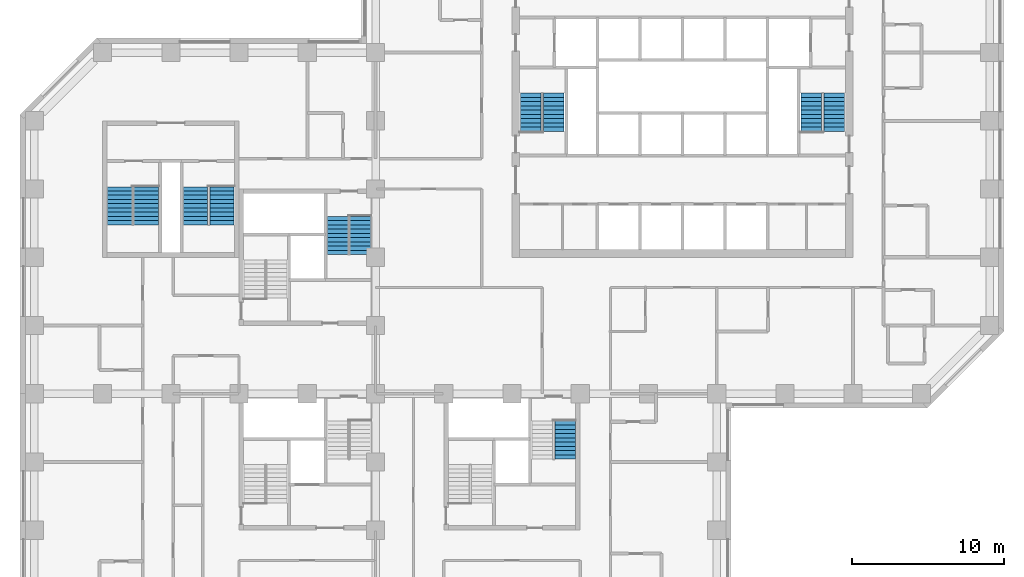
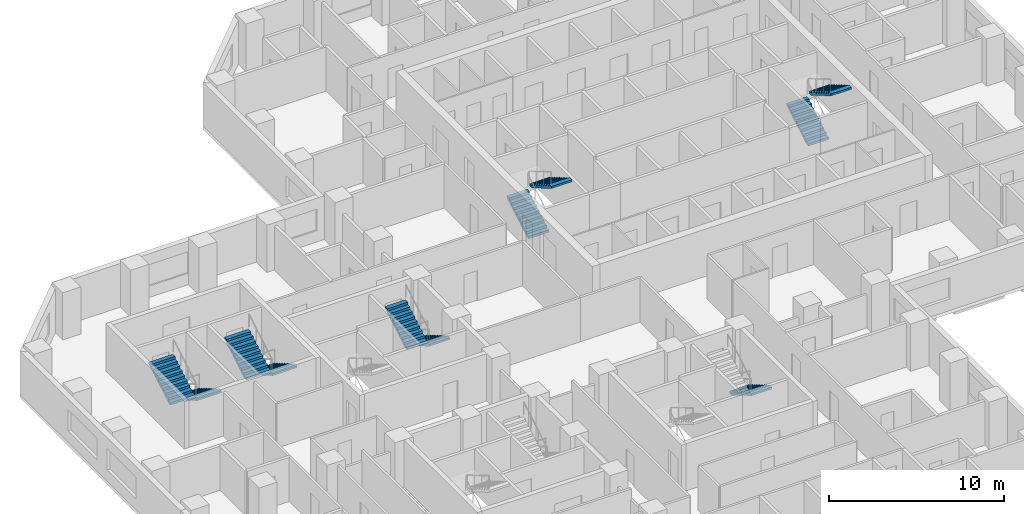
# One storey, part 11 of 12: 11 stair flights, 6 elements without a shape of their own.
"""IFC4 building model written with IfcOpenShell, lengths in metres."""

from ifc_helpers import new_model, si_unit, direction, frame, origin, place, context, subcontext, project, spatial, polyline, outline, extrude, material, type_object, element, aggregate, save


model = new_model("IFC4")

# Units and contexts
model_context = context("Model", 3, precision=1e-05, world=origin(), true_north=direction((0.0, 1.0)))
body_context = subcontext(model_context, "Body", "Model", "MODEL_VIEW")
ifc_project = project(units=[si_unit("LENGTHUNIT", "METRE"), si_unit("AREAUNIT", "SQUARE_METRE"), si_unit("VOLUMEUNIT", "CUBIC_METRE"), si_unit("PLANEANGLEUNIT", "RADIAN"), si_unit("MASSUNIT", "GRAM", prefix="KILO")], contexts=[model_context])

# Site, building, storey
site_placement = place(None, origin())
site = spatial("IfcSite", under=ifc_project, at=site_placement, CompositionType="ELEMENT")
building_placement = place(site_placement, origin())
building = spatial("IfcBuilding", under=site, at=building_placement, Name="Quoin Convention Tower", CompositionType="ELEMENT")
storey_placement = place(building_placement, frame((0.0, 0.0, 46.199951171875)))
storey = spatial("IfcBuildingStorey", under=building, at=storey_placement, Name="L11", CompositionType="ELEMENT", Elevation=46.199951171875)

# Stair, stair flights
ifc_material = material(Name="Concrete C40", Category="concrete")
stair_type_1 = type_object("IfcStairType", Name="Exit stair two-flight 1350", PredefinedType="HALF_TURN_STAIR", material=ifc_material)
stair_1_placement = place(storey_placement, origin())
stair_1 = element("IfcStair", 1, at=stair_1_placement, inside=storey, type_object=stair_type_1, Name="SD1 L11", PredefinedType="HALF_TURN_STAIR")
stair_flight_type_1 = type_object("IfcStairFlightType", Name="Stair flight 1350", PredefinedType="STRAIGHT", material=ifc_material)
stair_flight_1_placement = place(storey_placement, frame((46.25, 57.800048828125, 0.0), z_axis=(0.0, 0.0, 1.0), x_axis=(0.0, 1.0, 0.0)))
stair_flight_1 = element("IfcStairFlight", 2, at=stair_flight_1_placement, type_object=stair_flight_type_1, Name="ST1 flight 1", NumberOfRisers=10, NumberOfTreads=9, PredefinedType="STRAIGHT", RiserHeight=0.165, TreadLength=0.28, context=body_context, shape_type="SweptSolid", body=[
    extrude(outline(polyline([(0.0, 0.0), (0.0, 0.1650390625), (0.280029296875, 0.1650390625), (0.280029296875, 0.330078125), (0.56005859375, 0.330078125), (0.56005859375, 0.4951171875), (0.840087890625, 0.4951171875), (0.840087890625, 0.659912109375), (1.1201171875, 0.659912109375), (1.1201171875, 0.824951171875), (1.39990234375, 0.824951171875), (1.39990234375, 0.989990234375), (1.679931640625, 0.989990234375), (1.679931640625, 1.155029296875), (1.9599609375, 1.155029296875), (1.9599609375, 1.320068359375), (2.239990234375, 1.320068359375), (2.239990234375, 1.485107421875), (2.52001953125, 1.485107421875), (2.52001953125, 1.64990234375), (2.52001953125, 1.345458984375), (0.236572265625, 0.0), (0.0, 0.0)])), frame((0.0, 0.675048828125, 0.0), z_axis=(0.0, -1.0, 0.0), x_axis=(1.0, 0.0, 0.0)), (0.0, 0.0, 1.0), 1.35009765625),
])
stair_flight_2_placement = place(storey_placement, frame((47.75, 60.320068359375, 1.650146484375), z_axis=(0.0, 0.0, 1.0), x_axis=(0.0, -1.0, 0.0)))
stair_flight_2 = element("IfcStairFlight", 3, at=stair_flight_2_placement, type_object=stair_flight_type_1, Name="ST1 flight 2", NumberOfRisers=10, NumberOfTreads=9, PredefinedType="STRAIGHT", RiserHeight=0.165, TreadLength=0.28, context=body_context, shape_type="SweptSolid", body=[
    extrude(outline(polyline([(0.0, 0.0), (0.0, 0.1650390625), (0.280029296875, 0.1650390625), (0.280029296875, 0.330078125), (0.56005859375, 0.330078125), (0.56005859375, 0.4951171875), (0.840087890625, 0.4951171875), (0.840087890625, 0.659912109375), (1.1201171875, 0.659912109375), (1.1201171875, 0.824951171875), (1.39990234375, 0.824951171875), (1.39990234375, 0.989990234375), (1.679931640625, 0.989990234375), (1.679931640625, 1.155029296875), (1.9599609375, 1.155029296875), (1.9599609375, 1.320068359375), (2.239990234375, 1.320068359375), (2.239990234375, 1.485107421875), (2.52001953125, 1.485107421875), (2.52001953125, 1.64990234375), (2.52001953125, 1.345458984375), (0.236572265625, 0.0), (0.0, 0.0)])), frame((0.0, 0.675048828125, 0.0), z_axis=(0.0, -1.0, 0.0), x_axis=(1.0, 0.0, 0.0)), (0.0, 0.0, 1.0), 1.35009765625),
])
aggregate(stair_1, [stair_flight_1, stair_flight_2])

stair_2_placement = place(storey_placement, origin())
stair_2 = element("IfcStair", 4, at=stair_2_placement, inside=storey, type_object=stair_type_1, Name="SD2 L11", PredefinedType="HALF_TURN_STAIR")
stair_flight_3_placement = place(storey_placement, frame((64.75, 57.800048828125, 0.0), z_axis=(0.0, 0.0, 1.0), x_axis=(0.0, 1.0, 0.0)))
stair_flight_3 = element("IfcStairFlight", 5, at=stair_flight_3_placement, type_object=stair_flight_type_1, Name="ST2 flight 1", NumberOfRisers=10, NumberOfTreads=9, PredefinedType="STRAIGHT", RiserHeight=0.165, TreadLength=0.28, context=body_context, shape_type="SweptSolid", body=[
    extrude(outline(polyline([(0.0, 0.0), (0.0, 0.1650390625), (0.280029296875, 0.1650390625), (0.280029296875, 0.330078125), (0.56005859375, 0.330078125), (0.56005859375, 0.4951171875), (0.840087890625, 0.4951171875), (0.840087890625, 0.659912109375), (1.1201171875, 0.659912109375), (1.1201171875, 0.824951171875), (1.39990234375, 0.824951171875), (1.39990234375, 0.989990234375), (1.679931640625, 0.989990234375), (1.679931640625, 1.155029296875), (1.9599609375, 1.155029296875), (1.9599609375, 1.320068359375), (2.239990234375, 1.320068359375), (2.239990234375, 1.485107421875), (2.52001953125, 1.485107421875), (2.52001953125, 1.64990234375), (2.52001953125, 1.345458984375), (0.236572265625, 0.0), (0.0, 0.0)])), frame((0.0, 0.675048828125, 0.0), z_axis=(0.0, -1.0, 0.0), x_axis=(1.0, 0.0, 0.0)), (0.0, 0.0, 1.0), 1.35009765625),
])
stair_flight_4_placement = place(storey_placement, frame((66.25, 60.320068359375, 1.650146484375), z_axis=(0.0, 0.0, 1.0), x_axis=(0.0, -1.0, 0.0)))
stair_flight_4 = element("IfcStairFlight", 6, at=stair_flight_4_placement, type_object=stair_flight_type_1, Name="ST2 flight 2", NumberOfRisers=10, NumberOfTreads=9, PredefinedType="STRAIGHT", RiserHeight=0.165, TreadLength=0.28, context=body_context, shape_type="SweptSolid", body=[
    extrude(outline(polyline([(0.0, 0.0), (0.0, 0.1650390625), (0.280029296875, 0.1650390625), (0.280029296875, 0.330078125), (0.56005859375, 0.330078125), (0.56005859375, 0.4951171875), (0.840087890625, 0.4951171875), (0.840087890625, 0.659912109375), (1.1201171875, 0.659912109375), (1.1201171875, 0.824951171875), (1.39990234375, 0.824951171875), (1.39990234375, 0.989990234375), (1.679931640625, 0.989990234375), (1.679931640625, 1.155029296875), (1.9599609375, 1.155029296875), (1.9599609375, 1.320068359375), (2.239990234375, 1.320068359375), (2.239990234375, 1.485107421875), (2.52001953125, 1.485107421875), (2.52001953125, 1.64990234375), (2.52001953125, 1.345458984375), (0.236572265625, 0.0), (0.0, 0.0)])), frame((0.0, 0.675048828125, 0.0), z_axis=(0.0, -1.0, 0.0), x_axis=(1.0, 0.0, 0.0)), (0.0, 0.0, 1.0), 1.35009765625),
])
aggregate(stair_2, [stair_flight_3, stair_flight_4])

stair_3_placement = place(storey_placement, origin())
stair_3 = element("IfcStair", 7, at=stair_3_placement, inside=storey, type_object=stair_type_1, Name="SD4 L11", PredefinedType="HALF_TURN_STAIR")
stair_flight_5_placement = place(storey_placement, frame((35.0, 52.199951171875, 0.0), z_axis=(0.0, 0.0, 1.0), x_axis=(0.0, -1.0, 0.0)))
stair_flight_5 = element("IfcStairFlight", 8, at=stair_flight_5_placement, type_object=stair_flight_type_1, Name="ST4 flight 1", NumberOfRisers=10, NumberOfTreads=9, PredefinedType="STRAIGHT", RiserHeight=0.165, TreadLength=0.28, context=body_context, shape_type="SweptSolid", body=[
    extrude(outline(polyline([(0.0, 0.0), (0.0, 0.1650390625), (0.280029296875, 0.1650390625), (0.280029296875, 0.330078125), (0.56005859375, 0.330078125), (0.56005859375, 0.4951171875), (0.840087890625, 0.4951171875), (0.840087890625, 0.659912109375), (1.1201171875, 0.659912109375), (1.1201171875, 0.824951171875), (1.39990234375, 0.824951171875), (1.39990234375, 0.989990234375), (1.679931640625, 0.989990234375), (1.679931640625, 1.155029296875), (1.9599609375, 1.155029296875), (1.9599609375, 1.320068359375), (2.239990234375, 1.320068359375), (2.239990234375, 1.485107421875), (2.52001953125, 1.485107421875), (2.52001953125, 1.64990234375), (2.52001953125, 1.345458984375), (0.236572265625, 0.0), (0.0, 0.0)])), frame((0.0, 0.675048828125, 0.0), z_axis=(0.0, -1.0, 0.0), x_axis=(1.0, 0.0, 0.0)), (0.0, 0.0, 1.0), 1.35009765625),
])
stair_flight_6_placement = place(storey_placement, frame((33.5, 49.679931640625, 1.650146484375), z_axis=(0.0, 0.0, 1.0), x_axis=(0.0, 1.0, 0.0)))
stair_flight_6 = element("IfcStairFlight", 9, at=stair_flight_6_placement, type_object=stair_flight_type_1, Name="ST4 flight 2", NumberOfRisers=10, NumberOfTreads=9, PredefinedType="STRAIGHT", RiserHeight=0.165, TreadLength=0.28, context=body_context, shape_type="SweptSolid", body=[
    extrude(outline(polyline([(0.0, 0.0), (0.0, 0.1650390625), (0.280029296875, 0.1650390625), (0.280029296875, 0.330078125), (0.56005859375, 0.330078125), (0.56005859375, 0.4951171875), (0.840087890625, 0.4951171875), (0.840087890625, 0.659912109375), (1.1201171875, 0.659912109375), (1.1201171875, 0.824951171875), (1.39990234375, 0.824951171875), (1.39990234375, 0.989990234375), (1.679931640625, 0.989990234375), (1.679931640625, 1.155029296875), (1.9599609375, 1.155029296875), (1.9599609375, 1.320068359375), (2.239990234375, 1.320068359375), (2.239990234375, 1.485107421875), (2.52001953125, 1.485107421875), (2.52001953125, 1.64990234375), (2.52001953125, 1.345458984375), (0.236572265625, 0.0), (0.0, 0.0)])), frame((0.0, 0.675048828125, 0.0), z_axis=(0.0, -1.0, 0.0), x_axis=(1.0, 0.0, 0.0)), (0.0, 0.0, 1.0), 1.35009765625),
])
aggregate(stair_3, [stair_flight_5, stair_flight_6])

# Stair, stair flight
stair_4_placement = place(storey_placement, origin())
stair_4 = element("IfcStair", 10, at=stair_4_placement, inside=storey, type_object=stair_type_1, Name="SD6 L11", PredefinedType="HALF_TURN_STAIR")
stair_flight_7_placement = place(storey_placement, frame((48.5, 38.699951171875, 0.0), z_axis=(0.0, 0.0, 1.0), x_axis=(0.0, -1.0, 0.0)))
stair_flight_7 = element("IfcStairFlight", 11, at=stair_flight_7_placement, type_object=stair_flight_type_1, Name="ST6 flight 1", NumberOfRisers=10, NumberOfTreads=9, PredefinedType="STRAIGHT", RiserHeight=0.165, TreadLength=0.28, context=body_context, shape_type="SweptSolid", body=[
    extrude(outline(polyline([(0.0, 0.0), (0.0, 0.1650390625), (0.280029296875, 0.1650390625), (0.280029296875, 0.330078125), (0.56005859375, 0.330078125), (0.56005859375, 0.4951171875), (0.840087890625, 0.4951171875), (0.840087890625, 0.659912109375), (1.1201171875, 0.659912109375), (1.1201171875, 0.824951171875), (1.39990234375, 0.824951171875), (1.39990234375, 0.989990234375), (1.679931640625, 0.989990234375), (1.679931640625, 1.155029296875), (1.9599609375, 1.155029296875), (1.9599609375, 1.320068359375), (2.239990234375, 1.320068359375), (2.239990234375, 1.485107421875), (2.52001953125, 1.485107421875), (2.52001953125, 1.64990234375), (2.52001953125, 1.345458984375), (0.236572265625, 0.0), (0.0, 0.0)])), frame((0.0, 0.675048828125, 0.0), z_axis=(0.0, -1.0, 0.0), x_axis=(1.0, 0.0, 0.0)), (0.0, 0.0, 1.0), 1.35009765625),
])
aggregate(stair_4, [stair_flight_7])

# Stair, stair flights
stair_type_2 = type_object("IfcStairType", Name="Exit stair two-flight 1600", PredefinedType="HALF_TURN_STAIR", material=ifc_material)
stair_5_placement = place(storey_placement, origin())
stair_5 = element("IfcStair", 12, at=stair_5_placement, inside=storey, type_object=stair_type_2, Name="SD11 L11", PredefinedType="HALF_TURN_STAIR")
stair_flight_type_2 = type_object("IfcStairFlightType", Name="Stair flight 1600", PredefinedType="STRAIGHT", material=ifc_material)
stair_flight_8_placement = place(storey_placement, frame((20.875, 54.14990234375, 0.0), z_axis=(0.0, 0.0, 1.0), x_axis=(0.0, -1.0, 0.0)))
stair_flight_8 = element("IfcStairFlight", 13, at=stair_flight_8_placement, type_object=stair_flight_type_2, Name="ST11 flight 1", NumberOfRisers=10, NumberOfTreads=9, PredefinedType="STRAIGHT", RiserHeight=0.165, TreadLength=0.28, context=body_context, shape_type="SweptSolid", body=[
    extrude(outline(polyline([(0.0, 0.0), (0.0, 0.1650390625), (0.280029296875, 0.1650390625), (0.280029296875, 0.330078125), (0.56005859375, 0.330078125), (0.56005859375, 0.4951171875), (0.840087890625, 0.4951171875), (0.840087890625, 0.659912109375), (1.1201171875, 0.659912109375), (1.1201171875, 0.824951171875), (1.39990234375, 0.824951171875), (1.39990234375, 0.989990234375), (1.679931640625, 0.989990234375), (1.679931640625, 1.155029296875), (1.9599609375, 1.155029296875), (1.9599609375, 1.320068359375), (2.239990234375, 1.320068359375), (2.239990234375, 1.485107421875), (2.52001953125, 1.485107421875), (2.52001953125, 1.64990234375), (2.52001953125, 1.345458984375), (0.236572265625, 0.0), (0.0, 0.0)])), frame((0.0, 0.800048828125, 0.0), z_axis=(0.0, -1.0, 0.0), x_axis=(1.0, 0.0, 0.0)), (0.0, 0.0, 1.0), 1.60009765625),
])
stair_flight_9_placement = place(storey_placement, frame((19.125, 51.6298828125, 1.650146484375), z_axis=(0.0, 0.0, 1.0), x_axis=(0.0, 1.0, 0.0)))
stair_flight_9 = element("IfcStairFlight", 14, at=stair_flight_9_placement, type_object=stair_flight_type_2, Name="ST11 flight 2", NumberOfRisers=10, NumberOfTreads=9, PredefinedType="STRAIGHT", RiserHeight=0.165, TreadLength=0.28, context=body_context, shape_type="SweptSolid", body=[
    extrude(outline(polyline([(0.0, 0.0), (0.0, 0.1650390625), (0.280029296875, 0.1650390625), (0.280029296875, 0.330078125), (0.56005859375, 0.330078125), (0.56005859375, 0.4951171875), (0.840087890625, 0.4951171875), (0.840087890625, 0.659912109375), (1.1201171875, 0.659912109375), (1.1201171875, 0.824951171875), (1.39990234375, 0.824951171875), (1.39990234375, 0.989990234375), (1.679931640625, 0.989990234375), (1.679931640625, 1.155029296875), (1.9599609375, 1.155029296875), (1.9599609375, 1.320068359375), (2.239990234375, 1.320068359375), (2.239990234375, 1.485107421875), (2.52001953125, 1.485107421875), (2.52001953125, 1.64990234375), (2.52001953125, 1.345458984375), (0.236572265625, 0.0), (0.0, 0.0)])), frame((0.0, 0.800048828125, 0.0), z_axis=(0.0, -1.0, 0.0), x_axis=(1.0, 0.0, 0.0)), (0.0, 0.0, 1.0), 1.60009765625),
])
aggregate(stair_5, [stair_flight_8, stair_flight_9])

stair_6_placement = place(storey_placement, origin())
stair_6 = element("IfcStair", 15, at=stair_6_placement, inside=storey, type_object=stair_type_2, Name="SD12 L11", PredefinedType="HALF_TURN_STAIR")
stair_flight_10_placement = place(storey_placement, frame((25.875, 54.14990234375, 0.0), z_axis=(0.0, 0.0, 1.0), x_axis=(0.0, -1.0, 0.0)))
stair_flight_10 = element("IfcStairFlight", 16, at=stair_flight_10_placement, type_object=stair_flight_type_2, Name="ST12 flight 1", NumberOfRisers=10, NumberOfTreads=9, PredefinedType="STRAIGHT", RiserHeight=0.165, TreadLength=0.28, context=body_context, shape_type="SweptSolid", body=[
    extrude(outline(polyline([(0.0, 0.0), (0.0, 0.1650390625), (0.280029296875, 0.1650390625), (0.280029296875, 0.330078125), (0.56005859375, 0.330078125), (0.56005859375, 0.4951171875), (0.840087890625, 0.4951171875), (0.840087890625, 0.659912109375), (1.1201171875, 0.659912109375), (1.1201171875, 0.824951171875), (1.39990234375, 0.824951171875), (1.39990234375, 0.989990234375), (1.679931640625, 0.989990234375), (1.679931640625, 1.155029296875), (1.9599609375, 1.155029296875), (1.9599609375, 1.320068359375), (2.239990234375, 1.320068359375), (2.239990234375, 1.485107421875), (2.52001953125, 1.485107421875), (2.52001953125, 1.64990234375), (2.52001953125, 1.345458984375), (0.236572265625, 0.0), (0.0, 0.0)])), frame((0.0, 0.800048828125, 0.0), z_axis=(0.0, -1.0, 0.0), x_axis=(1.0, 0.0, 0.0)), (0.0, 0.0, 1.0), 1.60009765625),
])
stair_flight_11_placement = place(storey_placement, frame((24.125, 51.6298828125, 1.650146484375), z_axis=(0.0, 0.0, 1.0), x_axis=(0.0, 1.0, 0.0)))
stair_flight_11 = element("IfcStairFlight", 17, at=stair_flight_11_placement, type_object=stair_flight_type_2, Name="ST12 flight 2", NumberOfRisers=10, NumberOfTreads=9, PredefinedType="STRAIGHT", RiserHeight=0.165, TreadLength=0.28, context=body_context, shape_type="SweptSolid", body=[
    extrude(outline(polyline([(0.0, 0.0), (0.0, 0.1650390625), (0.280029296875, 0.1650390625), (0.280029296875, 0.330078125), (0.56005859375, 0.330078125), (0.56005859375, 0.4951171875), (0.840087890625, 0.4951171875), (0.840087890625, 0.659912109375), (1.1201171875, 0.659912109375), (1.1201171875, 0.824951171875), (1.39990234375, 0.824951171875), (1.39990234375, 0.989990234375), (1.679931640625, 0.989990234375), (1.679931640625, 1.155029296875), (1.9599609375, 1.155029296875), (1.9599609375, 1.320068359375), (2.239990234375, 1.320068359375), (2.239990234375, 1.485107421875), (2.52001953125, 1.485107421875), (2.52001953125, 1.64990234375), (2.52001953125, 1.345458984375), (0.236572265625, 0.0), (0.0, 0.0)])), frame((0.0, 0.800048828125, 0.0), z_axis=(0.0, -1.0, 0.0), x_axis=(1.0, 0.0, 0.0)), (0.0, 0.0, 1.0), 1.60009765625),
])
aggregate(stair_6, [stair_flight_10, stair_flight_11])

save(model, "model.ifc")
